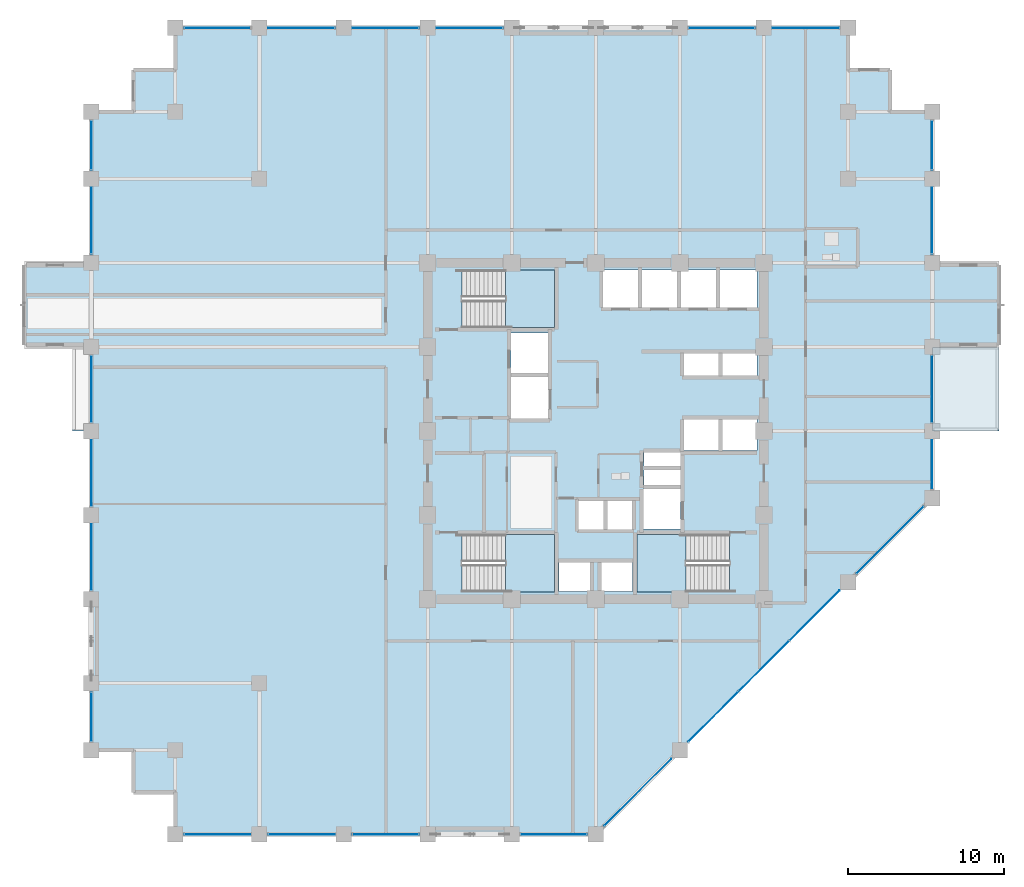
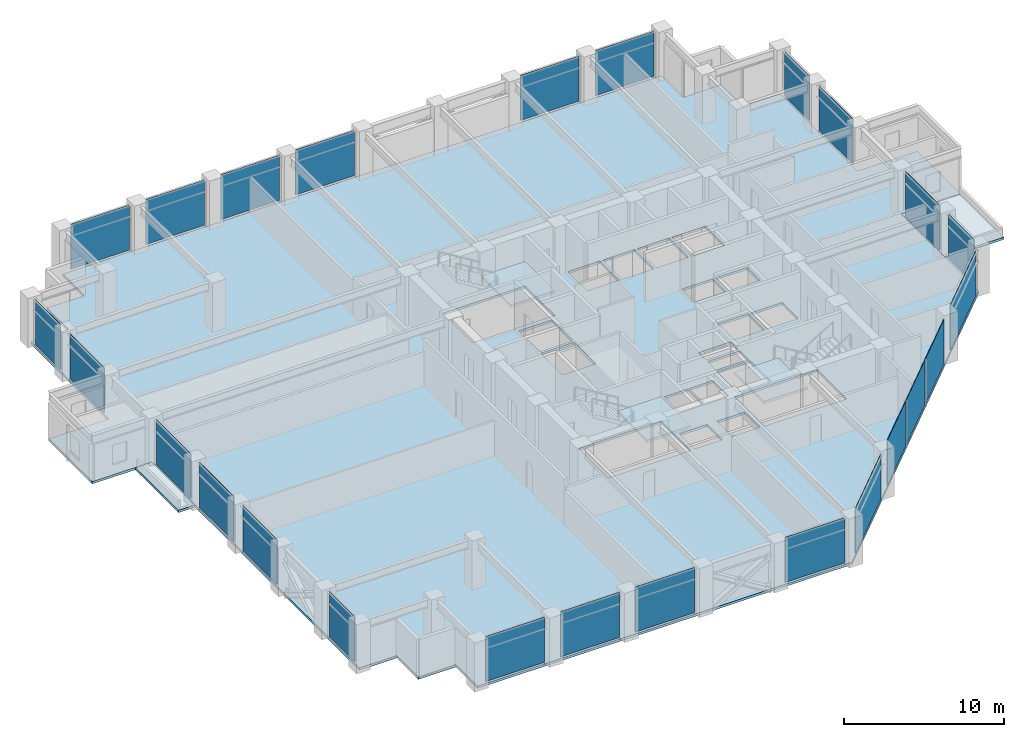
# One storey, part 20 of 29: 25 plates, 6 slabs, 13 elements without a shape of their own.
"""IFC4 building model written with IfcOpenShell, lengths in metres."""

import ifcopenshell
import ifcopenshell.guid

model = None  # the IFC model being written
_history = None  # IfcOwnerHistory: only IFC2X3 demands one
_inside = {}  # id of a spatial element -> (the spatial element, [elements in it])
_under = {}  # id of a project, library or spatial element -> (it, [spatial elements below it])
_declared = {}  # id of a project -> (the project, [libraries it declares])
_typed = {}  # id of a type object -> (the type object, [elements of that type])
_made_of = {}  # id of a material, layer set ... -> (it, [elements and type objects made of it])


def new_model(schema):
    """Start an empty IFC model of exactly this schema.

    Asked for "IFC4X3", IfcOpenShell would pick the latest addendum, in which some entities
    have other attributes; the version numbers below select the first issue.
    IFC2X3 requires an IfcOwnerHistory on every rooted entity: one is made here for all.
    """
    global model, _history
    if schema == "IFC4X3":
        model = ifcopenshell.file(schema_version=(4, 3, 0, 0))
    else:
        model = ifcopenshell.file(schema=schema)
    _inside.clear()
    _under.clear()
    _declared.clear()
    _typed.clear()
    _made_of.clear()
    _history = None
    if model.schema == "IFC2X3":
        org = make("IfcOrganization", Name="unknown")
        user = make(
            "IfcPersonAndOrganization",
            ThePerson=make("IfcPerson", FamilyName="unknown"),
            TheOrganization=org,
        )
        app = make(
            "IfcApplication",
            ApplicationDeveloper=org,
            Version="unknown",
            ApplicationFullName="unknown",
            ApplicationIdentifier="unknown",
        )
        _history = make(
            "IfcOwnerHistory",
            OwningUser=user,
            OwningApplication=app,
            ChangeAction="ADDED",
            CreationDate=0,
        )
    return model


def make(cls, **values):
    """One entity of the class cls with the attributes given. An attribute that is None is left unset."""
    return model.create_entity(
        cls, **{name: value for name, value in values.items() if value is not None}
    )


def rooted(cls, **values):
    """An entity with a GlobalId (a new one), such as an element, a storey or a relation."""
    return make(cls, GlobalId=ifcopenshell.guid.new(), OwnerHistory=_history, **values)


def si_unit(unit_type, name, prefix=None):
    """IfcSIUnit, for example si_unit("LENGTHUNIT", "METRE", prefix="MILLI")."""
    return make("IfcSIUnit", UnitType=unit_type, Prefix=prefix, Name=name)


def assignment(units):
    """IfcUnitAssignment: the units of a project."""
    return None if units is None else make("IfcUnitAssignment", Units=units)


def point(xyz):
    """IfcCartesianPoint."""
    return None if xyz is None else make("IfcCartesianPoint", Coordinates=xyz)


def direction(xyz):
    """IfcDirection."""
    return None if xyz is None else make("IfcDirection", DirectionRatios=xyz)


def frame(location, z_axis=None, x_axis=None):
    """IfcAxis2Placement3D, a coordinate frame: its origin and axes. An axis left out is left unset."""
    return make(
        "IfcAxis2Placement3D",
        Location=point(location),
        Axis=direction(z_axis),
        RefDirection=direction(x_axis),
    )


def frame_2d(location, x_axis=None):
    """IfcAxis2Placement2D, a coordinate frame in the plane: its origin and x axis."""
    return make(
        "IfcAxis2Placement2D", Location=point(location), RefDirection=direction(x_axis)
    )


def origin():
    """The frame at (0, 0, 0) with its axes left unset."""
    return frame((0.0, 0.0, 0.0))


def place(relative_to, where):
    """IfcLocalPlacement: puts the frame where relative to a parent placement (None: the world)."""
    return make(
        "IfcLocalPlacement", PlacementRelTo=relative_to, RelativePlacement=where
    )


def context(
    kind, dimensions, precision=None, world=None, true_north=None, identifier=None
):
    """IfcGeometricRepresentationContext, for example the 3D "Model" context."""
    return make(
        "IfcGeometricRepresentationContext",
        ContextIdentifier=identifier,
        ContextType=kind,
        CoordinateSpaceDimension=dimensions,
        Precision=precision,
        WorldCoordinateSystem=world,
        TrueNorth=true_north,
    )


def subcontext(parent, identifier, kind, view, scale=None):
    """IfcGeometricRepresentationSubContext, for example "Body" below "Model"."""
    return make(
        "IfcGeometricRepresentationSubContext",
        ContextIdentifier=identifier,
        ContextType=kind,
        ParentContext=parent,
        TargetScale=scale,
        TargetView=view,
    )


def project(units=None, contexts=None):
    """IfcProject with its units and contexts."""
    return rooted(
        "IfcProject",
        Name="project",
        RepresentationContexts=contexts,
        UnitsInContext=assignment(units),
    )


def spatial(cls, under=None, at=None, **own):
    """A site, building, storey or space (cls), placed at a placement, below another one or the project."""
    s = rooted(cls, ObjectPlacement=at, **own)
    if under is not None:
        _under.setdefault(under.id(), (under, []))[1].append(s)
    return s


def polyline(points):
    """IfcPolyline through the points."""
    return make("IfcPolyline", Points=[point(p) for p in points])


def profile(cls, at=None, kind="AREA", **sizes):
    """A parametric profile (cls). Its sizes go by their IFC names, for example OverallWidth=200.0."""
    return make(cls, ProfileType=kind, Position=at, **sizes)


def rectangle(**sizes):
    """IfcRectangleProfileDef."""
    return profile("IfcRectangleProfileDef", **sizes)


def outline(outer, holes=None, kind="AREA"):
    """IfcArbitraryClosedProfileDef: a profile drawn as a closed curve; with holes, ...WithVoids."""
    if holes is None:
        return make("IfcArbitraryClosedProfileDef", ProfileType=kind, OuterCurve=outer)
    return make(
        "IfcArbitraryProfileDefWithVoids",
        ProfileType=kind,
        OuterCurve=outer,
        InnerCurves=holes,
    )


def extrude(swept, where, along, depth):
    """IfcExtrudedAreaSolid: the profile swept, set in the frame where, extruded along a direction by depth."""
    return make(
        "IfcExtrudedAreaSolid",
        SweptArea=swept,
        Position=where,
        ExtrudedDirection=direction(along),
        Depth=depth,
    )


def shape(context_of_items, identifier, shape_type, items):
    """IfcShapeRepresentation: the items that make up one representation, for example the "Body"."""
    return make(
        "IfcShapeRepresentation",
        ContextOfItems=context_of_items,
        RepresentationIdentifier=identifier,
        RepresentationType=shape_type,
        Items=items,
    )


def material(Name=None, Category=None):
    """IfcMaterial."""
    return make("IfcMaterial", Name=Name, Category=Category)


def layer(
    of_material, thickness, ventilated=None, Name=None, Category=None, Priority=None
):
    """IfcMaterialLayer: one layer of a wall or slab, of a material (None: an air gap)."""
    return make(
        "IfcMaterialLayer",
        Material=of_material,
        LayerThickness=thickness,
        IsVentilated=ventilated,
        Name=Name,
        Category=Category,
        Priority=Priority,
    )


def layer_set(layers, Name=None):
    """IfcMaterialLayerSet."""
    return make("IfcMaterialLayerSet", MaterialLayers=layers, LayerSetName=Name)


def made_of(thing, what):
    """Note that an element or type object is made of a material, layer set ...; save() writes the relation."""
    if what is not None:
        _made_of.setdefault(what.id(), (what, []))[1].append(thing)
    return thing


def type_object(cls, material=None, **own):
    """A type object (cls), such as IfcWallType, which elements share."""
    return made_of(rooted(cls, **own), material)


def element(
    cls,
    number,
    at=None,
    inside=None,
    cuts=None,
    type_object=None,
    material=None,
    context=None,
    identifier="Body",
    shape_type=None,
    held_by="IfcProductDefinitionShape",
    body=None,
    shapes=None,
    **own,
):
    """One element of the class cls, such as IfcWall. Its Tag is "e" and its number.

    at: its placement. inside: the storey or other place that contains it. cuts: it is an
    opening in that element (IfcRelVoidsElement). A single representation is given by context,
    identifier, shape_type and body (its items); several are given by shapes. held_by: the class
    of the entity that holds the representations. save() writes the other relations.
    """
    e = rooted(cls, Tag="e%d" % number, ObjectPlacement=at, **own)
    if body is not None:
        shapes = [shape(context, identifier, shape_type, body)]
    if shapes is not None:
        e.Representation = make(held_by, Representations=shapes)
    if inside is not None:
        _inside.setdefault(inside.id(), (inside, []))[1].append(e)
    if cuts is not None:
        rooted(
            "IfcRelVoidsElement", RelatingBuildingElement=cuts, RelatedOpeningElement=e
        )
    if type_object is not None:
        _typed.setdefault(type_object.id(), (type_object, []))[1].append(e)
    return made_of(e, material)


def aggregate(whole, parts):
    """IfcRelAggregates: a whole, such as a stair, and the parts it consists of."""
    return rooted("IfcRelAggregates", RelatingObject=whole, RelatedObjects=parts)


def save(model, path):
    """Write the relations noted so far, then the file.

    IfcRelAggregates (storeys below a building ...), IfcRelContainedInSpatialStructure (elements
    in a storey), IfcRelDefinesByType, IfcRelAssociatesMaterial and IfcRelDeclares: one each for
    every whole, place, type object, material and project.
    """
    for whole, parts in _under.values():
        aggregate(whole, parts)
    for where, things in _inside.values():
        rooted(
            "IfcRelContainedInSpatialStructure",
            RelatedElements=things,
            RelatingStructure=where,
        )
    for kind, things in _typed.values():
        rooted("IfcRelDefinesByType", RelatedObjects=things, RelatingType=kind)
    for what, things in _made_of.values():
        rooted("IfcRelAssociatesMaterial", RelatedObjects=things, RelatingMaterial=what)
    for by, libraries in _declared.values():
        rooted("IfcRelDeclares", RelatingContext=by, RelatedDefinitions=libraries)
    model.write(path)


model = new_model("IFC4")

# Units and contexts
model_context = context("Model", 3, precision=1e-05, world=origin(), true_north=direction((0.0, 1.0)))
body_context = subcontext(model_context, "Body", "Model", "MODEL_VIEW")
ifc_project = project(units=[si_unit("LENGTHUNIT", "METRE"), si_unit("AREAUNIT", "SQUARE_METRE"), si_unit("VOLUMEUNIT", "CUBIC_METRE"), si_unit("PLANEANGLEUNIT", "RADIAN"), si_unit("MASSUNIT", "GRAM", prefix="KILO")], contexts=[model_context])

# Site, building, storey
site_placement = place(None, origin())
site = spatial("IfcSite", under=ifc_project, at=site_placement, CompositionType="ELEMENT")
building_placement = place(site_placement, origin())
building = spatial("IfcBuilding", under=site, at=building_placement, Name="Surkhivell Harbour Commons", CompositionType="ELEMENT")
storey_placement = place(building_placement, frame((0.0, 0.0, 150.75)))
storey = spatial("IfcBuildingStorey", under=building, at=storey_placement, Name="L39", CompositionType="ELEMENT", Elevation=150.75)

# Curtain wall, plates
ifc_material_1 = material(Name="Anodised pale-metal aluminium and insulated glazing", Category="aluminium")
ifc_layer_1 = layer(ifc_material_1, 0.205078125)
ifc_layer_set_1 = layer_set([ifc_layer_1], Name="Anodised pale-metal aluminium and insulated glazing")
curtain_wall_type = type_object("IfcCurtainWallType", Name="CW-SYS-Z2", PredefinedType="NOTDEFINED", material=ifc_layer_set_1)
curtain_wall_1_placement = place(storey_placement, origin())
curtain_wall_1 = element("IfcCurtainWall", 1, at=curtain_wall_1_placement, inside=storey, type_object=curtain_wall_type, Name="L39 Curtain Wall CW-L39-E00S1", PredefinedType="NOTDEFINED")
ifc_material_2 = material(Name="High-pressure typhoon laminated vision glass", Category="glass")
ifc_layer_2 = layer(ifc_material_2, 0.035888671875)
ifc_layer_set_2 = layer_set([ifc_layer_2], Name="High-pressure typhoon laminated vision glass")
plate_type = type_object("IfcPlateType", Name="CWP-GLZ-36", PredefinedType="CURTAIN_PANEL", material=ifc_layer_set_2)
plate_1_placement = place(storey_placement, frame((-26.423095703125, -25.89990234375, 0.14990234375), z_axis=(0.0, 0.0, 1.0), x_axis=(1.0, 0.0, 0.0)))
plate_1 = element("IfcPlate", 2, at=plate_1_placement, type_object=plate_type, Name="CW-Z2 panel 1.1", PredefinedType="CURTAIN_PANEL", context=body_context, shape_type="SweptSolid", body=[
    extrude(rectangle(XDim=4.24609375, YDim=0.035888671875, at=frame_2d((2.123046875, 0.0))), origin(), (0.0, 0.0, 1.0), 3.420166015625),
])
plate_2_placement = place(storey_placement, frame((-21.02294921875, -25.89990234375, 0.14990234375), z_axis=(0.0, 0.0, 1.0), x_axis=(1.0, 0.0, 0.0)))
plate_2 = element("IfcPlate", 3, at=plate_2_placement, type_object=plate_type, Name="CW-Z2 panel 2.1", PredefinedType="CURTAIN_PANEL", context=body_context, shape_type="SweptSolid", body=[
    extrude(rectangle(XDim=4.245849609375, YDim=0.035888671875, at=frame_2d((2.123046875, 0.0))), origin(), (0.0, 0.0, 1.0), 3.420166015625),
])
plate_3_placement = place(storey_placement, frame((-15.623046875, -25.89990234375, 0.14990234375), z_axis=(0.0, 0.0, 1.0), x_axis=(1.0, 0.0, 0.0)))
plate_3 = element("IfcPlate", 4, at=plate_3_placement, type_object=plate_type, Name="CW-Z2 panel 3.1", PredefinedType="CURTAIN_PANEL", context=body_context, shape_type="SweptSolid", body=[
    extrude(rectangle(XDim=4.24609375, YDim=0.035888671875, at=frame_2d((2.123046875, 0.0))), origin(), (0.0, 0.0, 1.0), 3.420166015625),
])
aggregate(curtain_wall_1, [plate_1, plate_2, plate_3])

# Curtain wall, plate
curtain_wall_2_placement = place(storey_placement, origin())
curtain_wall_2 = element("IfcCurtainWall", 5, at=curtain_wall_2_placement, inside=storey, type_object=curtain_wall_type, Name="L39 Curtain Wall CW-L39-E00S2", PredefinedType="NOTDEFINED")
plate_4_placement = place(storey_placement, frame((-4.822998046875, -25.89990234375, 0.14990234375), z_axis=(0.0, 0.0, 1.0), x_axis=(1.0, 0.0, 0.0)))
plate_4 = element("IfcPlate", 6, at=plate_4_placement, type_object=plate_type, Name="CW-Z2 panel 1.1", PredefinedType="CURTAIN_PANEL", context=body_context, shape_type="SweptSolid", body=[
    extrude(rectangle(XDim=4.24609375, YDim=0.035888671875, at=frame_2d((2.123046875, 0.0))), origin(), (0.0, 0.0, 1.0), 3.420166015625),
])
aggregate(curtain_wall_2, [plate_4])

# Curtain wall, plates
curtain_wall_3_placement = place(storey_placement, origin())
curtain_wall_3 = element("IfcCurtainWall", 7, at=curtain_wall_3_placement, inside=storey, type_object=curtain_wall_type, Name="L39 Curtain Wall CW-L39-E01", PredefinedType="NOTDEFINED")
plate_5_placement = place(storey_placement, frame((0.5546875, -25.34521484375, 0.14990234375), z_axis=(0.0, 0.0, 1.0), x_axis=(0.707106781187, 0.707106781187, 0.0)))
plate_5 = element("IfcPlate", 8, at=plate_5_placement, type_object=plate_type, Name="CW-Z2 panel 1.1", PredefinedType="CURTAIN_PANEL", context=body_context, shape_type="SweptSolid", body=[
    extrude(rectangle(XDim=6.067626953125, YDim=0.035888671875, at=frame_2d((3.03369140625, 0.0))), origin(), (0.0, 0.0, 1.0), 3.420166015625),
])
plate_6_placement = place(storey_placement, frame((5.954833984375, -19.9453125, 0.14990234375), z_axis=(0.0, 0.0, 1.0), x_axis=(0.707079687416, 0.707133873919, 0.0)))
plate_6 = element("IfcPlate", 9, at=plate_6_placement, type_object=plate_type, Name="CW-Z2 panel 2.1", PredefinedType="CURTAIN_PANEL", context=body_context, shape_type="SweptSolid", body=[
    extrude(rectangle(XDim=4.505615234375, YDim=0.035888671875, at=frame_2d((2.2529296875, 0.0))), origin(), (0.0, 0.0, 1.0), 3.420166015625),
])
plate_7_placement = place(storey_placement, frame((9.19384765625, -16.706298828125, 0.14990234375), z_axis=(0.0, 0.0, 1.0), x_axis=(0.707079911854, 0.707133649498, 0.0)))
plate_7 = element("IfcPlate", 10, at=plate_7_placement, type_object=plate_type, Name="CW-Z2 panel 3.1", PredefinedType="CURTAIN_PANEL", context=body_context, shape_type="SweptSolid", body=[
    extrude(rectangle(XDim=4.543212890625, YDim=0.035888671875, at=frame_2d((2.271484375, 0.0))), origin(), (0.0, 0.0, 1.0), 3.420166015625),
])
plate_8_placement = place(storey_placement, frame((12.459228515625, -13.440673828125, 0.14990234375), z_axis=(0.0, 0.0, 1.0), x_axis=(0.707106781187, 0.707106781187, 0.0)))
plate_8 = element("IfcPlate", 11, at=plate_8_placement, type_object=plate_type, Name="CW-Z2 panel 4.1", PredefinedType="CURTAIN_PANEL", context=body_context, shape_type="SweptSolid", body=[
    extrude(rectangle(XDim=4.505615234375, YDim=0.035888671875, at=frame_2d((2.2529296875, 0.0))), origin(), (0.0, 0.0, 1.0), 3.420166015625),
])
plate_9_placement = place(storey_placement, frame((16.754638671875, -9.145263671875, 0.14990234375), z_axis=(0.0, 0.0, 1.0), x_axis=(0.707106781187, 0.707106781187, 0.0)))
plate_9 = element("IfcPlate", 12, at=plate_9_placement, type_object=plate_type, Name="CW-Z2 panel 5.1", PredefinedType="CURTAIN_PANEL", context=body_context, shape_type="SweptSolid", body=[
    extrude(rectangle(XDim=6.067626953125, YDim=0.035888671875, at=frame_2d((3.03369140625, 0.0))), origin(), (0.0, 0.0, 1.0), 3.420166015625),
])
aggregate(curtain_wall_3, [plate_5, plate_6, plate_7, plate_8, plate_9])

curtain_wall_4_placement = place(storey_placement, origin())
curtain_wall_4 = element("IfcCurtainWall", 13, at=curtain_wall_4_placement, inside=storey, type_object=curtain_wall_type, Name="L39 Curtain Wall CW-L39-E02R1", PredefinedType="NOTDEFINED")
plate_10_placement = place(storey_placement, frame((21.60009765625, -3.722900390625, 0.14990234375), z_axis=(0.0, 0.0, 1.0), x_axis=(0.0, 1.0, 0.0)))
plate_10 = element("IfcPlate", 14, at=plate_10_placement, type_object=plate_type, Name="CW-Z2 panel 1.1", PredefinedType="CURTAIN_PANEL", context=body_context, shape_type="SweptSolid", body=[
    extrude(rectangle(XDim=3.14599609375, YDim=0.035888671875, at=frame_2d((1.572998046875, 0.0))), origin(), (0.0, 0.0, 1.0), 3.420166015625),
])
plate_11_placement = place(storey_placement, frame((21.60009765625, 0.576904296875, 0.14990234375), z_axis=(0.0, 0.0, 1.0), x_axis=(0.0, 1.0, 0.0)))
plate_11 = element("IfcPlate", 15, at=plate_11_placement, type_object=plate_type, Name="CW-Z2 panel 2.1", PredefinedType="CURTAIN_PANEL", context=body_context, shape_type="SweptSolid", body=[
    extrude(rectangle(XDim=4.24609375, YDim=0.035888671875, at=frame_2d((2.123046875, 0.0))), origin(), (0.0, 0.0, 1.0), 3.420166015625),
])
aggregate(curtain_wall_4, [plate_10, plate_11])

curtain_wall_5_placement = place(storey_placement, origin())
curtain_wall_5 = element("IfcCurtainWall", 16, at=curtain_wall_5_placement, inside=storey, type_object=curtain_wall_type, Name="L39 Curtain Wall CW-L39-E02R2", PredefinedType="NOTDEFINED")
plate_12_placement = place(storey_placement, frame((21.60009765625, 11.376953125, 0.14990234375), z_axis=(0.0, 0.0, 1.0), x_axis=(0.0, 1.0, 0.0)))
plate_12 = element("IfcPlate", 17, at=plate_12_placement, type_object=plate_type, Name="CW-Z2 panel 1.1", PredefinedType="CURTAIN_PANEL", context=body_context, shape_type="SweptSolid", body=[
    extrude(rectangle(XDim=4.24609375, YDim=0.035888671875, at=frame_2d((2.123046875, 0.0))), origin(), (0.0, 0.0, 1.0), 3.420166015625),
])
plate_13_placement = place(storey_placement, frame((21.60009765625, 16.777099609375, 0.14990234375), z_axis=(0.0, 0.0, 1.0), x_axis=(0.0, 1.0, 0.0)))
plate_13 = element("IfcPlate", 18, at=plate_13_placement, type_object=plate_type, Name="CW-Z2 panel 2.1", PredefinedType="CURTAIN_PANEL", context=body_context, shape_type="SweptSolid", body=[
    extrude(rectangle(XDim=3.14599609375, YDim=0.035888671875, at=frame_2d((1.572998046875, 0.0))), origin(), (0.0, 0.0, 1.0), 3.420166015625),
])
aggregate(curtain_wall_5, [plate_12, plate_13])

curtain_wall_6_placement = place(storey_placement, origin())
curtain_wall_6 = element("IfcCurtainWall", 19, at=curtain_wall_6_placement, inside=storey, type_object=curtain_wall_type, Name="L39 Curtain Wall CW-L39-E07S1", PredefinedType="NOTDEFINED")
plate_14_placement = place(storey_placement, frame((15.623046875, 25.89990234375, 0.14990234375), z_axis=(0.0, 0.0, 1.0), x_axis=(-1.0, 0.0, 0.0)))
plate_14 = element("IfcPlate", 20, at=plate_14_placement, type_object=plate_type, Name="CW-Z2 panel 1.1", PredefinedType="CURTAIN_PANEL", context=body_context, shape_type="SweptSolid", body=[
    extrude(rectangle(XDim=4.24609375, YDim=0.035888671875, at=frame_2d((2.123046875, 0.0))), origin(), (0.0, 0.0, 1.0), 3.420166015625),
])
plate_15_placement = place(storey_placement, frame((10.222900390625, 25.89990234375, 0.14990234375), z_axis=(0.0, 0.0, 1.0), x_axis=(-1.0, 0.0, 0.0)))
plate_15 = element("IfcPlate", 21, at=plate_15_placement, type_object=plate_type, Name="CW-Z2 panel 2.1", PredefinedType="CURTAIN_PANEL", context=body_context, shape_type="SweptSolid", body=[
    extrude(rectangle(XDim=4.245849609375, YDim=0.035888671875, at=frame_2d((2.123046875, 0.0))), origin(), (0.0, 0.0, 1.0), 3.420166015625),
])
aggregate(curtain_wall_6, [plate_14, plate_15])

curtain_wall_7_placement = place(storey_placement, origin())
curtain_wall_7 = element("IfcCurtainWall", 22, at=curtain_wall_7_placement, inside=storey, type_object=curtain_wall_type, Name="L39 Curtain Wall CW-L39-E07S2", PredefinedType="NOTDEFINED")
plate_16_placement = place(storey_placement, frame((-5.97705078125, 25.89990234375, 0.14990234375), z_axis=(0.0, 0.0, 1.0), x_axis=(-1.0, 0.0, 0.0)))
plate_16 = element("IfcPlate", 23, at=plate_16_placement, type_object=plate_type, Name="CW-Z2 panel 1.1", PredefinedType="CURTAIN_PANEL", context=body_context, shape_type="SweptSolid", body=[
    extrude(rectangle(XDim=4.245849609375, YDim=0.035888671875, at=frame_2d((2.123046875, 0.0))), origin(), (0.0, 0.0, 1.0), 3.420166015625),
])
plate_17_placement = place(storey_placement, frame((-11.376953125, 25.89990234375, 0.14990234375), z_axis=(0.0, 0.0, 1.0), x_axis=(-1.0, 0.0, 0.0)))
plate_17 = element("IfcPlate", 24, at=plate_17_placement, type_object=plate_type, Name="CW-Z2 panel 2.1", PredefinedType="CURTAIN_PANEL", context=body_context, shape_type="SweptSolid", body=[
    extrude(rectangle(XDim=4.24609375, YDim=0.035888671875, at=frame_2d((2.123046875, 0.0))), origin(), (0.0, 0.0, 1.0), 3.420166015625),
])
plate_18_placement = place(storey_placement, frame((-16.777099609375, 25.89990234375, 0.14990234375), z_axis=(0.0, 0.0, 1.0), x_axis=(-1.0, 0.0, 0.0)))
plate_18 = element("IfcPlate", 25, at=plate_18_placement, type_object=plate_type, Name="CW-Z2 panel 3.1", PredefinedType="CURTAIN_PANEL", context=body_context, shape_type="SweptSolid", body=[
    extrude(rectangle(XDim=4.245849609375, YDim=0.035888671875, at=frame_2d((2.123046875, 0.0))), origin(), (0.0, 0.0, 1.0), 3.420166015625),
])
plate_19_placement = place(storey_placement, frame((-22.177001953125, 25.89990234375, 0.14990234375), z_axis=(0.0, 0.0, 1.0), x_axis=(-1.0, 0.0, 0.0)))
plate_19 = element("IfcPlate", 26, at=plate_19_placement, type_object=plate_type, Name="CW-Z2 panel 4.1", PredefinedType="CURTAIN_PANEL", context=body_context, shape_type="SweptSolid", body=[
    extrude(rectangle(XDim=4.24609375, YDim=0.035888671875, at=frame_2d((2.123046875, 0.0))), origin(), (0.0, 0.0, 1.0), 3.420166015625),
])
aggregate(curtain_wall_7, [plate_16, plate_17, plate_18, plate_19])

# Curtain wall, plate
curtain_wall_8_placement = place(storey_placement, origin())
curtain_wall_8 = element("IfcCurtainWall", 27, at=curtain_wall_8_placement, inside=storey, type_object=curtain_wall_type, Name="L39 Curtain Wall CW-L39-E12R1S1", PredefinedType="NOTDEFINED")
plate_20_placement = place(storey_placement, frame((-32.39990234375, -19.923095703125, 0.14990234375), z_axis=(0.0, 0.0, 1.0), x_axis=(0.0, 1.0, 0.0)))
plate_20 = element("IfcPlate", 28, at=plate_20_placement, type_object=plate_type, Name="CW-Z2 panel 1.1", PredefinedType="CURTAIN_PANEL", context=body_context, shape_type="SweptSolid", body=[
    extrude(rectangle(XDim=3.14599609375, YDim=0.035888671875, at=frame_2d((1.572998046875, 0.0))), origin(), (0.0, 0.0, 1.0), 3.420166015625),
])
aggregate(curtain_wall_8, [plate_20])

# Curtain wall, plates
curtain_wall_9_placement = place(storey_placement, origin())
curtain_wall_9 = element("IfcCurtainWall", 29, at=curtain_wall_9_placement, inside=storey, type_object=curtain_wall_type, Name="L39 Curtain Wall CW-L39-E12R1S2", PredefinedType="NOTDEFINED")
plate_21_placement = place(storey_placement, frame((-32.39990234375, -10.222900390625, 0.14990234375), z_axis=(0.0, 0.0, 1.0), x_axis=(0.0, 1.0, 0.0)))
plate_21 = element("IfcPlate", 30, at=plate_21_placement, type_object=plate_type, Name="CW-Z2 panel 1.1", PredefinedType="CURTAIN_PANEL", context=body_context, shape_type="SweptSolid", body=[
    extrude(rectangle(XDim=4.245849609375, YDim=0.035888671875, at=frame_2d((2.123046875, 0.0))), origin(), (0.0, 0.0, 1.0), 3.420166015625),
])
plate_22_placement = place(storey_placement, frame((-32.39990234375, -4.822998046875, 0.14990234375), z_axis=(0.0, 0.0, 1.0), x_axis=(0.0, 1.0, 0.0)))
plate_22 = element("IfcPlate", 31, at=plate_22_placement, type_object=plate_type, Name="CW-Z2 panel 2.1", PredefinedType="CURTAIN_PANEL", context=body_context, shape_type="SweptSolid", body=[
    extrude(rectangle(XDim=4.24609375, YDim=0.035888671875, at=frame_2d((2.123046875, 0.0))), origin(), (0.0, 0.0, 1.0), 3.420166015625),
])
plate_23_placement = place(storey_placement, frame((-32.39990234375, 0.576904296875, 0.14990234375), z_axis=(0.0, 0.0, 1.0), x_axis=(0.0, 1.0, 0.0)))
plate_23 = element("IfcPlate", 32, at=plate_23_placement, type_object=plate_type, Name="CW-Z2 panel 3.1", PredefinedType="CURTAIN_PANEL", context=body_context, shape_type="SweptSolid", body=[
    extrude(rectangle(XDim=4.24609375, YDim=0.035888671875, at=frame_2d((2.123046875, 0.0))), origin(), (0.0, 0.0, 1.0), 3.420166015625),
])
aggregate(curtain_wall_9, [plate_21, plate_22, plate_23])

curtain_wall_10_placement = place(storey_placement, origin())
curtain_wall_10 = element("IfcCurtainWall", 33, at=curtain_wall_10_placement, inside=storey, type_object=curtain_wall_type, Name="L39 Curtain Wall CW-L39-E12R2", PredefinedType="NOTDEFINED")
plate_24_placement = place(storey_placement, frame((-32.39990234375, 11.376953125, 0.14990234375), z_axis=(0.0, 0.0, 1.0), x_axis=(0.0, 1.0, 0.0)))
plate_24 = element("IfcPlate", 34, at=plate_24_placement, type_object=plate_type, Name="CW-Z2 panel 1.1", PredefinedType="CURTAIN_PANEL", context=body_context, shape_type="SweptSolid", body=[
    extrude(rectangle(XDim=4.24609375, YDim=0.035888671875, at=frame_2d((2.123046875, 0.0))), origin(), (0.0, 0.0, 1.0), 3.420166015625),
])
plate_25_placement = place(storey_placement, frame((-32.39990234375, 16.777099609375, 0.14990234375), z_axis=(0.0, 0.0, 1.0), x_axis=(0.0, 1.0, 0.0)))
plate_25 = element("IfcPlate", 35, at=plate_25_placement, type_object=plate_type, Name="CW-Z2 panel 2.1", PredefinedType="CURTAIN_PANEL", context=body_context, shape_type="SweptSolid", body=[
    extrude(rectangle(XDim=3.14599609375, YDim=0.035888671875, at=frame_2d((1.572998046875, 0.0))), origin(), (0.0, 0.0, 1.0), 3.420166015625),
])
aggregate(curtain_wall_10, [plate_24, plate_25])

# Slabs
ifc_material_3 = material(Name="Concrete C45/55", Category="concrete")
ifc_layer_3 = layer(ifc_material_3, 0.179931640625)
ifc_layer_set_3 = layer_set([ifc_layer_3], Name="Concrete C45/55")
slab_type_1 = type_object("IfcSlabType", Name="SLB-BOXRF-180", PredefinedType="ROOF", material=ifc_layer_set_3)
slab_1_placement = place(storey_placement, frame((0.0, 0.0, -0.179931640625)))
element("IfcSlab", 36, at=slab_1_placement, inside=storey, type_object=slab_type_1, Name="L39 Closed Box-Cluster Roof Slab 1", PredefinedType="ROOF", context=body_context, shape_type="SweptSolid", body=[
    extrude(outline(polyline([(25.89990234375, 5.3798828125), (21.6201171875, 5.3798828125), (21.6201171875, 0.0), (25.89990234375, 0.0), (25.89990234375, 5.3798828125)])), origin(), (0.0, 0.0, 1.0), 0.179931640625),
])
slab_2_placement = place(storey_placement, frame((0.0, 0.0, -0.179931640625)))
element("IfcSlab", 37, at=slab_2_placement, inside=storey, type_object=slab_type_1, Name="L39 Closed Box-Cluster Roof Slab 2", PredefinedType="ROOF", context=body_context, shape_type="SweptSolid", body=[
    extrude(outline(polyline([(-33.60009765625, 0.0), (-32.419921875, 0.0), (-32.419921875, 5.3798828125), (-33.60009765625, 5.3798828125), (-33.60009765625, 0.0)])), origin(), (0.0, 0.0, 1.0), 0.179931640625),
])

# Stair, slab
ifc_material_4 = material(Name="Precast concrete C45/55", Category="concrete")
stair_type = type_object("IfcStairType", Name="STR-DL-375", PredefinedType="HALF_TURN_STAIR", material=ifc_material_4)
stair_1_placement = place(storey_placement, origin())
stair_1 = element("IfcStair", 38, at=stair_1_placement, inside=storey, type_object=stair_type, Name="L39 Core Exit Stair ST1", PredefinedType="HALF_TURN_STAIR")
ifc_material_5 = material(Name="Reinforced concrete C45/55", Category="concrete")
ifc_layer_4 = layer(ifc_material_5, 0.199951171875)
ifc_layer_set_4 = layer_set([ifc_layer_4], Name="Reinforced concrete C45/55")
slab_type_2 = type_object("IfcSlabType", Name="SLB-ST-LND200", PredefinedType="LANDING", material=ifc_layer_set_4)
slab_3_placement = place(storey_placement, frame((0.0, 0.0, 1.675048828125)))
slab_3 = element("IfcSlab", 39, at=slab_3_placement, type_object=slab_type_2, Name="ST1 landing 1", PredefinedType="LANDING", context=body_context, shape_type="SweptSolid", body=[
    extrude(outline(polyline([(-5.7900390625, 6.639892578125), (-2.639892578125, 6.639892578125), (-2.639892578125, 10.340087890625), (-5.7900390625, 10.340087890625), (-5.7900390625, 6.639892578125)])), origin(), (0.0, 0.0, 1.0), 0.199951171875),
])
aggregate(stair_1, [slab_3])

stair_2_placement = place(storey_placement, origin())
stair_2 = element("IfcStair", 40, at=stair_2_placement, inside=storey, type_object=stair_type, Name="L39 Core Exit Stair ST2", PredefinedType="HALF_TURN_STAIR")
slab_4_placement = place(storey_placement, frame((0.0, 0.0, 1.675048828125)))
slab_4 = element("IfcSlab", 41, at=slab_4_placement, type_object=slab_type_2, Name="ST2 landing 1", PredefinedType="LANDING", context=body_context, shape_type="SweptSolid", body=[
    extrude(outline(polyline([(5.7900390625, -6.639892578125), (2.639892578125, -6.639892578125), (2.639892578125, -10.340087890625), (5.7900390625, -10.340087890625), (5.7900390625, -6.639892578125)])), origin(), (0.0, 0.0, 1.0), 0.199951171875),
])
aggregate(stair_2, [slab_4])

stair_3_placement = place(storey_placement, origin())
stair_3 = element("IfcStair", 42, at=stair_3_placement, inside=storey, type_object=stair_type, Name="L39 Core Exit Stair ST3", PredefinedType="HALF_TURN_STAIR")
slab_5_placement = place(storey_placement, frame((0.0, 0.0, 1.675048828125)))
slab_5 = element("IfcSlab", 43, at=slab_5_placement, type_object=slab_type_2, Name="ST3 landing 1", PredefinedType="LANDING", context=body_context, shape_type="SweptSolid", body=[
    extrude(outline(polyline([(-5.7900390625, -10.340087890625), (-2.639892578125, -10.340087890625), (-2.639892578125, -6.639892578125), (-5.7900390625, -6.639892578125), (-5.7900390625, -10.340087890625)])), origin(), (0.0, 0.0, 1.0), 0.199951171875),
])
aggregate(stair_3, [slab_5])

# Slab
ifc_layer_5 = layer(ifc_material_3, 0.179931640625)
ifc_layer_set_5 = layer_set([ifc_layer_5], Name="Concrete C45/55")
slab_type_3 = type_object("IfcSlabType", Name="SLB-TYP-180", PredefinedType="FLOOR", material=ifc_layer_set_5)
slab_6_placement = place(storey_placement, frame((0.0, 0.0, -0.179931640625)))
element("IfcSlab", 44, at=slab_6_placement, inside=storey, type_object=slab_type_3, Name="L39 Structural Floor Slab", PredefinedType="FLOOR", context=body_context, shape_type="SweptSolid", body=[
    extrude(outline(polyline([(-32.39990234375, 20.5), (-32.39990234375, 10.800048828125), (-36.699951171875, 10.800048828125), (-36.699951171875, 5.39990234375), (-32.39990234375, 5.39990234375), (-32.39990234375, -20.5), (-29.699951171875, -20.5), (-29.699951171875, -23.199951171875), (-27.0, -23.199951171875), (-27.0, -25.89990234375), (0.0, -25.89990234375), (21.60009765625, -4.300048828125), (21.60009765625, 5.39990234375), (25.89990234375, 5.39990234375), (25.89990234375, 10.800048828125), (21.60009765625, 10.800048828125), (21.60009765625, 20.5), (18.89990234375, 20.5), (18.89990234375, 23.199951171875), (16.199951171875, 23.199951171875), (16.199951171875, 25.89990234375), (-27.0, 25.89990234375), (-27.0, 23.199951171875), (-29.699951171875, 23.199951171875), (-29.699951171875, 20.5), (-32.39990234375, 20.5)]), holes=[polyline([(-8.590087890625, 6.639892578125), (-2.639892578125, 6.639892578125), (-2.639892578125, 10.340087890625), (-8.590087890625, 10.340087890625), (-8.590087890625, 6.639892578125)]), polyline([(8.590087890625, -6.639892578125), (2.639892578125, -6.639892578125), (2.639892578125, -10.340087890625), (8.590087890625, -10.340087890625), (8.590087890625, -6.639892578125)]), polyline([(-8.590087890625, -10.340087890625), (-2.639892578125, -10.340087890625), (-2.639892578125, -6.639892578125), (-8.590087890625, -6.639892578125), (-8.590087890625, -10.340087890625)]), polyline([(0.449951171875, 7.949951171875), (2.75, 7.949951171875), (2.75, 10.35009765625), (0.449951171875, 10.35009765625), (0.449951171875, 7.949951171875)]), polyline([(2.949951171875, 7.949951171875), (5.25, 7.949951171875), (5.25, 10.35009765625), (2.949951171875, 10.35009765625), (2.949951171875, 7.949951171875)]), polyline([(5.449951171875, 7.949951171875), (7.75, 7.949951171875), (7.75, 10.35009765625), (5.449951171875, 10.35009765625), (5.449951171875, 7.949951171875)]), polyline([(7.949951171875, 7.949951171875), (10.35009765625, 7.949951171875), (10.35009765625, 10.35009765625), (7.949951171875, 10.35009765625), (7.949951171875, 7.949951171875)]), polyline([(5.64990234375, 3.550048828125), (7.89990234375, 3.550048828125), (7.89990234375, 5.14990234375), (5.64990234375, 5.14990234375), (5.64990234375, 3.550048828125)]), polyline([(8.10009765625, 3.550048828125), (10.35009765625, 3.550048828125), (10.35009765625, 5.14990234375), (8.10009765625, 5.14990234375), (8.10009765625, 3.550048828125)]), polyline([(5.64990234375, -1.25), (7.89990234375, -1.25), (7.89990234375, 0.75), (5.64990234375, 0.75), (5.64990234375, -1.25)]), polyline([(8.10009765625, -1.25), (10.35009765625, -1.25), (10.35009765625, 0.75), (8.10009765625, 0.75), (8.10009765625, -1.25)]), polyline([(-1.14990234375, -6.35009765625), (0.550048828125, -6.35009765625), (0.550048828125, -4.449951171875), (-1.14990234375, -4.449951171875), (-1.14990234375, -6.35009765625)]), polyline([(0.679931640625, -6.35009765625), (2.3798828125, -6.35009765625), (2.3798828125, -4.449951171875), (0.679931640625, -4.449951171875), (0.679931640625, -6.35009765625)]), polyline([(-2.35009765625, -10.300048828125), (-0.35009765625, -10.300048828125), (-0.35009765625, -8.39990234375), (-2.35009765625, -8.39990234375), (-2.35009765625, -10.300048828125)]), polyline([(0.35009765625, -10.300048828125), (2.35009765625, -10.300048828125), (2.35009765625, -8.39990234375), (0.35009765625, -8.39990234375), (0.35009765625, -10.300048828125)]), polyline([(-5.449951171875, 3.699951171875), (-3.050048828125, 3.699951171875), (-3.050048828125, 6.300048828125), (-5.449951171875, 6.300048828125), (-5.449951171875, 3.699951171875)]), polyline([(3.050048828125, -6.300048828125), (5.449951171875, -6.300048828125), (5.449951171875, -3.699951171875), (3.050048828125, -3.699951171875), (3.050048828125, -6.300048828125)]), polyline([(-5.449951171875, 0.800048828125), (-3.050048828125, 0.800048828125), (-3.050048828125, 3.5), (-5.449951171875, 3.5), (-5.449951171875, 0.800048828125)]), polyline([(3.10009765625, -3.550048828125), (5.449951171875, -3.550048828125), (5.449951171875, -2.47998046875), (3.10009765625, -2.47998046875), (3.10009765625, -3.550048828125)]), polyline([(3.10009765625, -2.280029296875), (5.449951171875, -2.280029296875), (5.449951171875, -1.35009765625), (3.10009765625, -1.35009765625), (3.10009765625, -2.280029296875)])]), origin(), (0.0, 0.0, 1.0), 0.179931640625),
])

save(model, "model.ifc")
